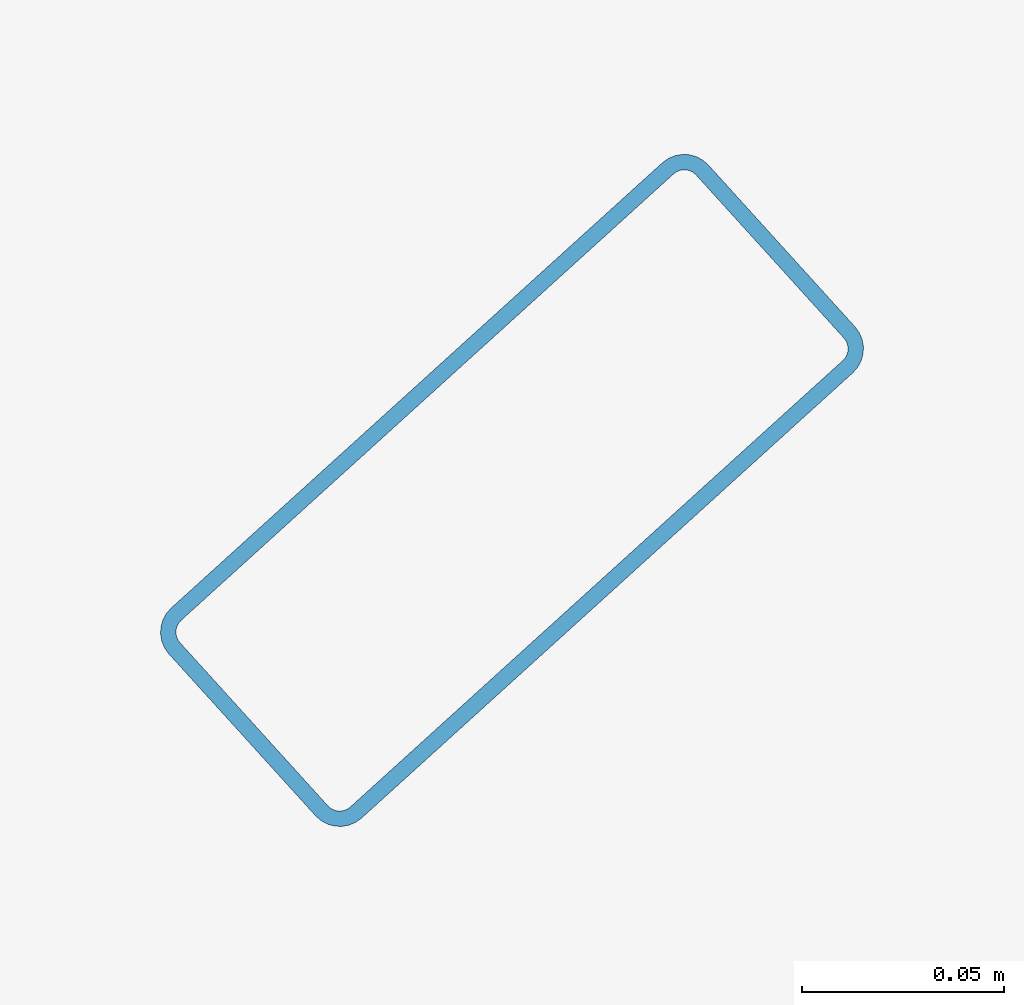
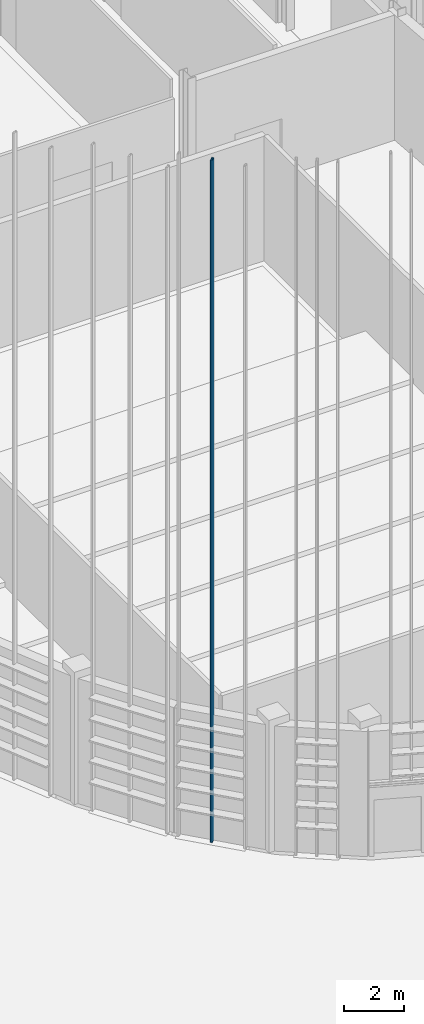
# One storey, part 18 of 372: 1 member.
"""IFC4 building model written with IfcOpenShell, lengths in metres."""

from ifc_helpers import new_model, si_unit, direction, frame, origin, origin_2d, place, context, subcontext, project, spatial, hollow_rectangle, extrude, material, material_profile, profile_set, type_object, element, save


model = new_model("IFC4")

# Units and contexts
model_context = context("Model", 3, precision=1e-05, world=origin(), true_north=direction((0.0, 1.0)))
body_context = subcontext(model_context, "Body", "Model", "MODEL_VIEW")
ifc_project = project(units=[si_unit("LENGTHUNIT", "METRE"), si_unit("AREAUNIT", "SQUARE_METRE"), si_unit("VOLUMEUNIT", "CUBIC_METRE"), si_unit("PLANEANGLEUNIT", "RADIAN"), si_unit("MASSUNIT", "GRAM", prefix="KILO")], contexts=[model_context])

# Site, building, storey
site_placement = place(None, origin())
site = spatial("IfcSite", under=ifc_project, at=site_placement, CompositionType="ELEMENT")
building_placement = place(site_placement, origin())
building = spatial("IfcBuilding", under=site, at=building_placement, Name="Kaelora Sail Theatre", CompositionType="ELEMENT")
storey_placement = place(building_placement, origin())
storey = spatial("IfcBuildingStorey", under=building, at=storey_placement, Name="L00", CompositionType="ELEMENT", Elevation=0.0)

# Member
ifc_material = material(Name="Anodised aluminium 6063-T6", Category="aluminium")
ifc_material_profile = material_profile(ifc_material, hollow_rectangle(XDim=0.070068359375, YDim=0.179931640625, WallThickness=0.00390625, InnerFilletRadius=0.00390625, OuterFilletRadius=0.008056640625, at=origin_2d()), Name="ALU-MULL 70x180x4")
ifc_profile_set = profile_set([ifc_material_profile], Name="Anodised aluminium 6063-T6")
member_type = type_object("IfcMemberType", Name="ARC-MEM-PST-160", PredefinedType="POST", material=ifc_profile_set)
member_placement = place(storey_placement, frame((32.296142578125, 28.545166015625, 0.0), z_axis=(0.0, 0.0, 1.0), x_axis=(-0.6715912843, 0.740921822362, 0.0)))
element("IfcMember", 1, at=member_placement, inside=storey, type_object=member_type, Name="Main Theatre Sail Drum solar louvre vertical support post C15-2", PredefinedType="POST", context=body_context, shape_type="SweptSolid", body=[
    extrude(hollow_rectangle(XDim=0.070068359375, YDim=0.179931640625, WallThickness=0.00390625, InnerFilletRadius=0.00390625, OuterFilletRadius=0.008056640625, at=origin_2d()), origin(), (0.0, 0.0, 1.0), 27.846435546875),
])

save(model, "model.ifc")
